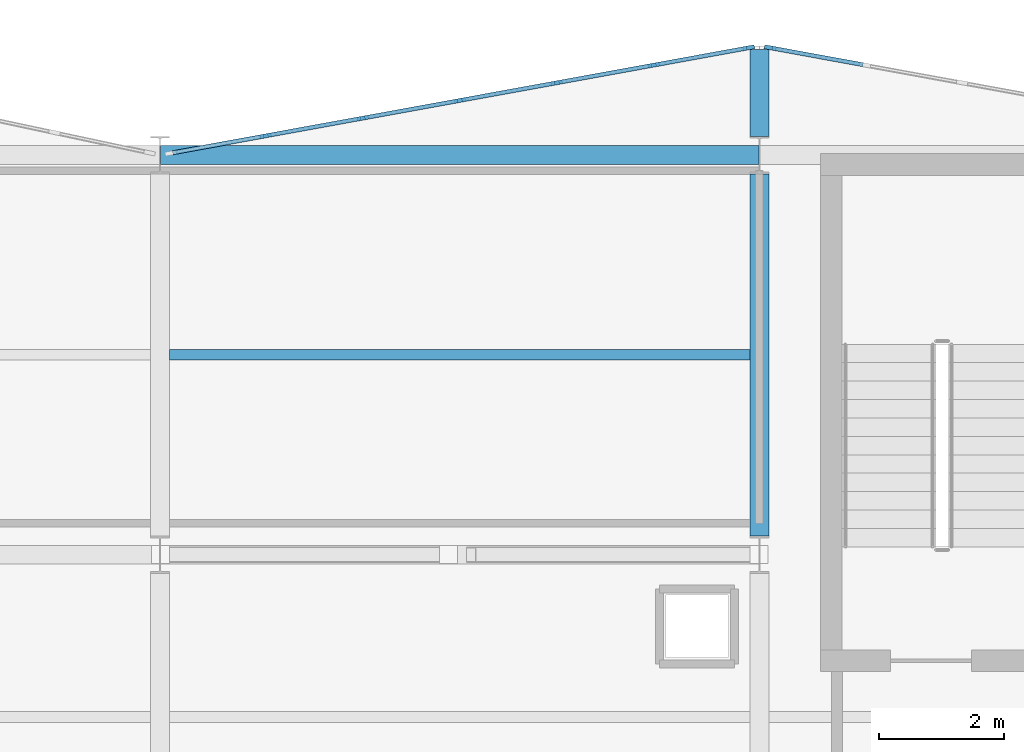
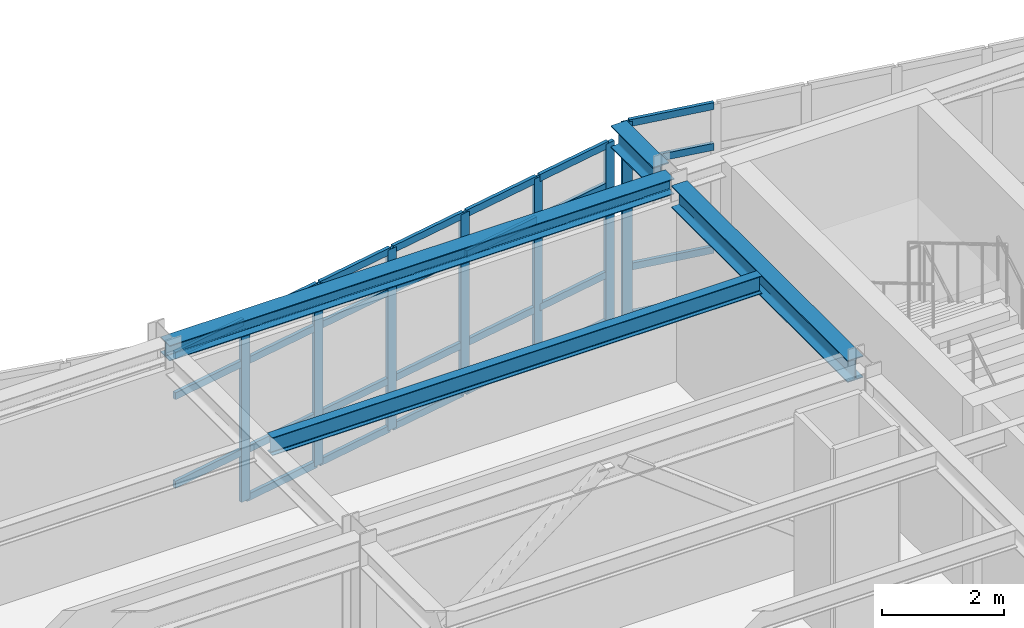
# One storey, part 49 of 99: 34 members, 4 beams, 2 elements without a shape of their own.
"""IFC4 building model written with IfcOpenShell, lengths in metres."""

from ifc_helpers import new_model, si_unit, direction, frame, origin, origin_2d, place, context, subcontext, project, spatial, rectangle, i_section, extrude, material, layer, layer_set, material_profile, profile_set, type_object, element, aggregate, save


model = new_model("IFC4")

# Units and contexts
model_context = context("Model", 3, precision=1e-05, world=origin(), true_north=direction((0.0, 1.0)))
body_context = subcontext(model_context, "Body", "Model", "MODEL_VIEW")
ifc_project = project(units=[si_unit("LENGTHUNIT", "METRE"), si_unit("AREAUNIT", "SQUARE_METRE"), si_unit("VOLUMEUNIT", "CUBIC_METRE"), si_unit("PLANEANGLEUNIT", "RADIAN"), si_unit("MASSUNIT", "GRAM", prefix="KILO")], contexts=[model_context])

# Site, building, storey
site_placement = place(None, origin())
site = spatial("IfcSite", under=ifc_project, at=site_placement, CompositionType="ELEMENT")
building_placement = place(site_placement, origin())
building = spatial("IfcBuilding", under=site, at=building_placement, Name="Nordkorset Police Headquarters", CompositionType="ELEMENT")
storey_placement = place(building_placement, frame((0.0, 0.0, 5.25)))
storey = spatial("IfcBuildingStorey", under=building, at=storey_placement, Name="L01", CompositionType="ELEMENT", Elevation=5.25)

# Beam
ifc_material_1 = material(Name="Steel S355J2", Category="steel")
ifc_material_profile_1 = material_profile(ifc_material_1, i_section(OverallWidth=0.169921875, OverallDepth=0.360107421875, WebThickness=0.008056640625, FlangeThickness=0.0126953125, FilletRadius=0.01806640625, at=origin_2d()), Name="IPE 360")
ifc_profile_set_1 = profile_set([ifc_material_profile_1], Name="Steel S355J2")
beam_type_1 = type_object("IfcBeamType", Name="Beam_IPE_360", PredefinedType="BEAM", material=ifc_profile_set_1)
beam_1_placement = place(storey_placement, frame((48.14990234375, 113.60009765625, 3.780029296875), z_axis=(1.0, 0.0, 0.0), x_axis=(0.0, 1.0, 0.0)))
element("IfcBeam", 1, at=beam_1_placement, inside=storey, type_object=beam_type_1, Name="Composite Floor Beam V2 L01 2-2-1", PredefinedType="BEAM", context=body_context, shape_type="SweptSolid", body=[
    extrude(i_section(OverallWidth=0.169921875, OverallDepth=0.360107421875, WebThickness=0.008056640625, FlangeThickness=0.0126953125, FilletRadius=0.01806640625, at=origin_2d()), origin(), (0.0, 0.0, 1.0), 9.300048828125),
])

# Curtain wall, members
ifc_material_2 = material(Name="Aluminium alloy AW-6060", Category="aluminium")
ifc_layer_1 = layer(ifc_material_2, 0.179931640625, Name="Aluminium alloy AW-6060")
ifc_layer_set_1 = layer_set([ifc_layer_1], Name="Aluminium alloy AW-6060")
curtain_wall_type_1 = type_object("IfcCurtainWallType", Name="CW_Unit_948x363", PredefinedType="USERDEFINED", material=ifc_layer_set_1)
curtain_wall_1_placement = place(storey_placement, origin())
curtain_wall_1 = element("IfcCurtainWall", 2, at=curtain_wall_1_placement, inside=storey, type_object=curtain_wall_type_1, Name="Unitised Curtain Wall L01 V2N-2", ObjectType="UNITISED CURTAIN WALL", PredefinedType="USERDEFINED")
ifc_material_3 = material(Name="Aluminium alloy AW-6060", Category="aluminium")
ifc_material_profile_2 = material_profile(ifc_material_3, rectangle(XDim=0.06494140625, YDim=0.179931640625, at=origin_2d()), Name="ALU MULL 65x180")
ifc_profile_set_2 = profile_set([ifc_material_profile_2], Name="Aluminium alloy AW-6060")
member_type_1 = type_object("IfcMemberType", Name="CW_Mullion_65x180", PredefinedType="MULLION", material=ifc_profile_set_2)
member_1_placement = place(storey_placement, frame((49.69189453125, 117.1083984375, 0.0), z_axis=(0.0, 0.0, 1.0), x_axis=(-0.179335715876, 0.983787934979, 0.0)))
member_1 = element("IfcMember", 3, at=member_1_placement, type_object=member_type_1, Name="CW-69 mullion 2", PredefinedType="MULLION", context=body_context, shape_type="SweptSolid", body=[
    extrude(rectangle(XDim=0.06494140625, YDim=0.179931640625, at=origin_2d()), origin(), (0.0, 0.0, 1.0), 3.6298828125),
])
member_2_placement = place(storey_placement, frame((51.245849609375, 117.3916015625, 0.0), z_axis=(0.0, 0.0, 1.0), x_axis=(-0.179335715876, 0.983787934979, 0.0)))
member_2 = element("IfcMember", 4, at=member_2_placement, type_object=member_type_1, Name="CW-69 mullion 3", PredefinedType="MULLION", context=body_context, shape_type="SweptSolid", body=[
    extrude(rectangle(XDim=0.06494140625, YDim=0.179931640625, at=origin_2d()), origin(), (0.0, 0.0, 1.0), 3.6298828125),
])
member_3_placement = place(storey_placement, frame((52.800048828125, 117.675048828125, 0.0), z_axis=(0.0, 0.0, 1.0), x_axis=(-0.179335715876, 0.983787934979, 0.0)))
member_3 = element("IfcMember", 5, at=member_3_placement, type_object=member_type_1, Name="CW-69 mullion 4", PredefinedType="MULLION", context=body_context, shape_type="SweptSolid", body=[
    extrude(rectangle(XDim=0.06494140625, YDim=0.179931640625, at=origin_2d()), origin(), (0.0, 0.0, 1.0), 3.6298828125),
])
member_4_placement = place(storey_placement, frame((54.35400390625, 117.958251953125, 0.0), z_axis=(0.0, 0.0, 1.0), x_axis=(-0.179335715876, 0.983787934979, 0.0)))
member_4 = element("IfcMember", 6, at=member_4_placement, type_object=member_type_1, Name="CW-69 mullion 5", PredefinedType="MULLION", context=body_context, shape_type="SweptSolid", body=[
    extrude(rectangle(XDim=0.06494140625, YDim=0.179931640625, at=origin_2d()), origin(), (0.0, 0.0, 1.0), 3.6298828125),
])
member_5_placement = place(storey_placement, frame((55.908203125, 118.24169921875, 0.0), z_axis=(0.0, 0.0, 1.0), x_axis=(-0.179335715876, 0.983787934979, 0.0)))
member_5 = element("IfcMember", 7, at=member_5_placement, type_object=member_type_1, Name="CW-69 mullion 6", PredefinedType="MULLION", context=body_context, shape_type="SweptSolid", body=[
    extrude(rectangle(XDim=0.06494140625, YDim=0.179931640625, at=origin_2d()), origin(), (0.0, 0.0, 1.0), 3.6298828125),
])
member_6_placement = place(storey_placement, frame((57.43017578125, 118.51904296875, 0.0), z_axis=(0.0, 0.0, 1.0), x_axis=(-0.179335715876, 0.983787934979, 0.0)))
member_6 = element("IfcMember", 8, at=member_6_placement, type_object=member_type_1, Name="CW-69 mullion 7", PredefinedType="MULLION", context=body_context, shape_type="SweptSolid", body=[
    extrude(rectangle(XDim=0.06494140625, YDim=0.179931640625, at=origin_2d()), origin(), (0.0, 0.0, 1.0), 3.6298828125),
])

# Curtain wall, member
ifc_material_4 = material(Name="Aluminium alloy AW-6060", Category="aluminium")
ifc_layer_2 = layer(ifc_material_4, 0.179931640625, Name="Aluminium alloy AW-6060")
ifc_layer_set_2 = layer_set([ifc_layer_2], Name="Aluminium alloy AW-6060")
curtain_wall_type_2 = type_object("IfcCurtainWallType", Name="CW_Unit_948x392", PredefinedType="USERDEFINED", material=ifc_layer_set_2)
curtain_wall_2_placement = place(storey_placement, origin())
curtain_wall_2 = element("IfcCurtainWall", 9, at=curtain_wall_2_placement, inside=storey, type_object=curtain_wall_type_2, Name="Unitised Curtain Wall L01 V2N-3", ObjectType="UNITISED CURTAIN WALL", PredefinedType="USERDEFINED")
member_7_placement = place(storey_placement, frame((57.769775390625, 118.51904296875, 0.0), z_axis=(0.0, 0.0, 1.0), x_axis=(0.179335715876, 0.983787934979, 0.0)))
member_7 = element("IfcMember", 10, at=member_7_placement, type_object=member_type_1, Name="CW-65 mullion 1", PredefinedType="MULLION", context=body_context, shape_type="SweptSolid", body=[
    extrude(rectangle(XDim=0.06494140625, YDim=0.179931640625, at=origin_2d()), origin(), (0.0, 0.0, 1.0), 3.919921875),
])

# Member
ifc_material_5 = material(Name="Aluminium alloy AW-6060", Category="aluminium")
ifc_material_profile_3 = material_profile(ifc_material_5, rectangle(XDim=0.06494140625, YDim=0.139892578125, at=origin_2d()), Name="ALU TRAN 65x140")
ifc_profile_set_3 = profile_set([ifc_material_profile_3], Name="Aluminium alloy AW-6060")
member_type_2 = type_object("IfcMemberType", Name="CW_Transom_65x140", PredefinedType="USERDEFINED", material=ifc_profile_set_3)
member_8_placement = place(storey_placement, frame((48.20166015625, 116.836669921875, 1.0), z_axis=(0.98378282961, 0.179363720316, 0.0), x_axis=(-0.179363720316, 0.98378282961, 0.0)))
member_8 = element("IfcMember", 11, at=member_8_placement, type_object=member_type_2, Name="CW-69 transom 1.2", ObjectType="TRANSOM", PredefinedType="USERDEFINED", context=body_context, shape_type="SweptSolid", body=[
    extrude(rectangle(XDim=0.06494140625, YDim=0.139892578125, at=origin_2d()), origin(), (0.0, 0.0, 1.0), 1.482177734375),
])

member_9_placement = place(storey_placement, frame((48.20166015625, 116.836669921875, 2.780029296875), z_axis=(0.98378282961, 0.179363720316, 0.0), x_axis=(-0.179363720316, 0.98378282961, 0.0)))
member_9 = element("IfcMember", 12, at=member_9_placement, type_object=member_type_2, Name="CW-69 transom 1.3", ObjectType="TRANSOM", PredefinedType="USERDEFINED", context=body_context, shape_type="SweptSolid", body=[
    extrude(rectangle(XDim=0.06494140625, YDim=0.139892578125, at=origin_2d()), origin(), (0.0, 0.0, 1.0), 1.482177734375),
])

member_10_placement = place(storey_placement, frame((48.20166015625, 116.836669921875, 3.597412109375), z_axis=(0.98378282961, 0.179363720316, 0.0), x_axis=(-0.179363720316, 0.98378282961, 0.0)))
member_10 = element("IfcMember", 13, at=member_10_placement, type_object=member_type_2, Name="CW-69 transom 1.4", ObjectType="TRANSOM", PredefinedType="USERDEFINED", context=body_context, shape_type="SweptSolid", body=[
    extrude(rectangle(XDim=0.06494140625, YDim=0.139892578125, at=origin_2d()), origin(), (0.0, 0.0, 1.0), 1.482177734375),
])

member_11_placement = place(storey_placement, frame((49.723876953125, 117.1142578125, 0.032470703125), z_axis=(0.983774342545, 0.179410264338, 0.0), x_axis=(-0.179410264338, 0.983774342545, 0.0)))
member_11 = element("IfcMember", 14, at=member_11_placement, type_object=member_type_2, Name="CW-69 transom 2.1", ObjectType="TRANSOM", PredefinedType="USERDEFINED", context=body_context, shape_type="SweptSolid", body=[
    extrude(rectangle(XDim=0.06494140625, YDim=0.139892578125, at=origin_2d()), origin(), (0.0, 0.0, 1.0), 1.5146484375),
])

member_12_placement = place(storey_placement, frame((49.723876953125, 117.1142578125, 1.0), z_axis=(0.983774342545, 0.179410264338, 0.0), x_axis=(-0.179410264338, 0.983774342545, 0.0)))
member_12 = element("IfcMember", 15, at=member_12_placement, type_object=member_type_2, Name="CW-69 transom 2.2", ObjectType="TRANSOM", PredefinedType="USERDEFINED", context=body_context, shape_type="SweptSolid", body=[
    extrude(rectangle(XDim=0.06494140625, YDim=0.139892578125, at=origin_2d()), origin(), (0.0, 0.0, 1.0), 1.5146484375),
])

member_13_placement = place(storey_placement, frame((49.723876953125, 117.1142578125, 2.780029296875), z_axis=(0.983774342545, 0.179410264338, 0.0), x_axis=(-0.179410264338, 0.983774342545, 0.0)))
member_13 = element("IfcMember", 16, at=member_13_placement, type_object=member_type_2, Name="CW-69 transom 2.3", ObjectType="TRANSOM", PredefinedType="USERDEFINED", context=body_context, shape_type="SweptSolid", body=[
    extrude(rectangle(XDim=0.06494140625, YDim=0.139892578125, at=origin_2d()), origin(), (0.0, 0.0, 1.0), 1.5146484375),
])

member_14_placement = place(storey_placement, frame((49.723876953125, 117.1142578125, 3.597412109375), z_axis=(0.983774342545, 0.179410264338, 0.0), x_axis=(-0.179410264338, 0.983774342545, 0.0)))
member_14 = element("IfcMember", 17, at=member_14_placement, type_object=member_type_2, Name="CW-69 transom 2.4", ObjectType="TRANSOM", PredefinedType="USERDEFINED", context=body_context, shape_type="SweptSolid", body=[
    extrude(rectangle(XDim=0.06494140625, YDim=0.139892578125, at=origin_2d()), origin(), (0.0, 0.0, 1.0), 1.5146484375),
])

member_15_placement = place(storey_placement, frame((51.27783203125, 117.3974609375, 0.032470703125), z_axis=(0.983779529869, 0.179381817946, 0.0), x_axis=(-0.179381817946, 0.983779529869, 0.0)))
member_15 = element("IfcMember", 18, at=member_15_placement, type_object=member_type_2, Name="CW-69 transom 3.1", ObjectType="TRANSOM", PredefinedType="USERDEFINED", context=body_context, shape_type="SweptSolid", body=[
    extrude(rectangle(XDim=0.06494140625, YDim=0.139892578125, at=origin_2d()), origin(), (0.0, 0.0, 1.0), 1.514892578125),
])

member_16_placement = place(storey_placement, frame((51.27783203125, 117.3974609375, 1.0), z_axis=(0.983779529869, 0.179381817946, 0.0), x_axis=(-0.179381817946, 0.983779529869, 0.0)))
member_16 = element("IfcMember", 19, at=member_16_placement, type_object=member_type_2, Name="CW-69 transom 3.2", ObjectType="TRANSOM", PredefinedType="USERDEFINED", context=body_context, shape_type="SweptSolid", body=[
    extrude(rectangle(XDim=0.06494140625, YDim=0.139892578125, at=origin_2d()), origin(), (0.0, 0.0, 1.0), 1.514892578125),
])

member_17_placement = place(storey_placement, frame((51.27783203125, 117.3974609375, 2.780029296875), z_axis=(0.983779529869, 0.179381817946, 0.0), x_axis=(-0.179381817946, 0.983779529869, 0.0)))
member_17 = element("IfcMember", 20, at=member_17_placement, type_object=member_type_2, Name="CW-69 transom 3.3", ObjectType="TRANSOM", PredefinedType="USERDEFINED", context=body_context, shape_type="SweptSolid", body=[
    extrude(rectangle(XDim=0.06494140625, YDim=0.139892578125, at=origin_2d()), origin(), (0.0, 0.0, 1.0), 1.514892578125),
])

member_18_placement = place(storey_placement, frame((51.27783203125, 117.3974609375, 3.597412109375), z_axis=(0.983779529869, 0.179381817946, 0.0), x_axis=(-0.179381817946, 0.983779529869, 0.0)))
member_18 = element("IfcMember", 21, at=member_18_placement, type_object=member_type_2, Name="CW-69 transom 3.4", ObjectType="TRANSOM", PredefinedType="USERDEFINED", context=body_context, shape_type="SweptSolid", body=[
    extrude(rectangle(XDim=0.06494140625, YDim=0.139892578125, at=origin_2d()), origin(), (0.0, 0.0, 1.0), 1.514892578125),
])

member_19_placement = place(storey_placement, frame((52.83203125, 117.680908203125, 0.032470703125), z_axis=(0.983802781825, 0.179254250924, 0.0), x_axis=(-0.179254250924, 0.983802781825, 0.0)))
member_19 = element("IfcMember", 22, at=member_19_placement, type_object=member_type_2, Name="CW-69 transom 4.1", ObjectType="TRANSOM", PredefinedType="USERDEFINED", context=body_context, shape_type="SweptSolid", body=[
    extrude(rectangle(XDim=0.06494140625, YDim=0.139892578125, at=origin_2d()), origin(), (0.0, 0.0, 1.0), 1.514404296875),
])

member_20_placement = place(storey_placement, frame((52.83203125, 117.680908203125, 1.0), z_axis=(0.983802781825, 0.179254250924, 0.0), x_axis=(-0.179254250924, 0.983802781825, 0.0)))
member_20 = element("IfcMember", 23, at=member_20_placement, type_object=member_type_2, Name="CW-69 transom 4.2", ObjectType="TRANSOM", PredefinedType="USERDEFINED", context=body_context, shape_type="SweptSolid", body=[
    extrude(rectangle(XDim=0.06494140625, YDim=0.139892578125, at=origin_2d()), origin(), (0.0, 0.0, 1.0), 1.514404296875),
])

member_21_placement = place(storey_placement, frame((52.83203125, 117.680908203125, 2.780029296875), z_axis=(0.983802781825, 0.179254250924, 0.0), x_axis=(-0.179254250924, 0.983802781825, 0.0)))
member_21 = element("IfcMember", 24, at=member_21_placement, type_object=member_type_2, Name="CW-69 transom 4.3", ObjectType="TRANSOM", PredefinedType="USERDEFINED", context=body_context, shape_type="SweptSolid", body=[
    extrude(rectangle(XDim=0.06494140625, YDim=0.139892578125, at=origin_2d()), origin(), (0.0, 0.0, 1.0), 1.514404296875),
])

member_22_placement = place(storey_placement, frame((52.83203125, 117.680908203125, 3.597412109375), z_axis=(0.983802781825, 0.179254250924, 0.0), x_axis=(-0.179254250924, 0.983802781825, 0.0)))
member_22 = element("IfcMember", 25, at=member_22_placement, type_object=member_type_2, Name="CW-69 transom 4.4", ObjectType="TRANSOM", PredefinedType="USERDEFINED", context=body_context, shape_type="SweptSolid", body=[
    extrude(rectangle(XDim=0.06494140625, YDim=0.139892578125, at=origin_2d()), origin(), (0.0, 0.0, 1.0), 1.514404296875),
])

member_23_placement = place(storey_placement, frame((54.385986328125, 117.964111328125, 0.032470703125), z_axis=(0.983779529869, 0.179381817946, 0.0), x_axis=(-0.179381817946, 0.983779529869, 0.0)))
member_23 = element("IfcMember", 26, at=member_23_placement, type_object=member_type_2, Name="CW-69 transom 5.1", ObjectType="TRANSOM", PredefinedType="USERDEFINED", context=body_context, shape_type="SweptSolid", body=[
    extrude(rectangle(XDim=0.06494140625, YDim=0.139892578125, at=origin_2d()), origin(), (0.0, 0.0, 1.0), 1.514892578125),
])

member_24_placement = place(storey_placement, frame((54.385986328125, 117.964111328125, 1.0), z_axis=(0.983779529869, 0.179381817946, 0.0), x_axis=(-0.179381817946, 0.983779529869, 0.0)))
member_24 = element("IfcMember", 27, at=member_24_placement, type_object=member_type_2, Name="CW-69 transom 5.2", ObjectType="TRANSOM", PredefinedType="USERDEFINED", context=body_context, shape_type="SweptSolid", body=[
    extrude(rectangle(XDim=0.06494140625, YDim=0.139892578125, at=origin_2d()), origin(), (0.0, 0.0, 1.0), 1.514892578125),
])

member_25_placement = place(storey_placement, frame((54.385986328125, 117.964111328125, 2.780029296875), z_axis=(0.983779529869, 0.179381817946, 0.0), x_axis=(-0.179381817946, 0.983779529869, 0.0)))
member_25 = element("IfcMember", 28, at=member_25_placement, type_object=member_type_2, Name="CW-69 transom 5.3", ObjectType="TRANSOM", PredefinedType="USERDEFINED", context=body_context, shape_type="SweptSolid", body=[
    extrude(rectangle(XDim=0.06494140625, YDim=0.139892578125, at=origin_2d()), origin(), (0.0, 0.0, 1.0), 1.514892578125),
])

member_26_placement = place(storey_placement, frame((54.385986328125, 117.964111328125, 3.597412109375), z_axis=(0.983779529869, 0.179381817946, 0.0), x_axis=(-0.179381817946, 0.983779529869, 0.0)))
member_26 = element("IfcMember", 29, at=member_26_placement, type_object=member_type_2, Name="CW-69 transom 5.4", ObjectType="TRANSOM", PredefinedType="USERDEFINED", context=body_context, shape_type="SweptSolid", body=[
    extrude(rectangle(XDim=0.06494140625, YDim=0.139892578125, at=origin_2d()), origin(), (0.0, 0.0, 1.0), 1.514892578125),
])

member_27_placement = place(storey_placement, frame((55.940185546875, 118.247314453125, 0.032470703125), z_axis=(0.98378282961, 0.179363720316, 0.0), x_axis=(-0.179363720316, 0.98378282961, 0.0)))
member_27 = element("IfcMember", 30, at=member_27_placement, type_object=member_type_2, Name="CW-69 transom 6.1", ObjectType="TRANSOM", PredefinedType="USERDEFINED", context=body_context, shape_type="SweptSolid", body=[
    extrude(rectangle(XDim=0.06494140625, YDim=0.139892578125, at=origin_2d()), origin(), (0.0, 0.0, 1.0), 1.482177734375),
])

member_28_placement = place(storey_placement, frame((55.940185546875, 118.247314453125, 1.0), z_axis=(0.98378282961, 0.179363720316, 0.0), x_axis=(-0.179363720316, 0.98378282961, 0.0)))
member_28 = element("IfcMember", 31, at=member_28_placement, type_object=member_type_2, Name="CW-69 transom 6.2", ObjectType="TRANSOM", PredefinedType="USERDEFINED", context=body_context, shape_type="SweptSolid", body=[
    extrude(rectangle(XDim=0.06494140625, YDim=0.139892578125, at=origin_2d()), origin(), (0.0, 0.0, 1.0), 1.482177734375),
])

member_29_placement = place(storey_placement, frame((55.940185546875, 118.247314453125, 2.780029296875), z_axis=(0.98378282961, 0.179363720316, 0.0), x_axis=(-0.179363720316, 0.98378282961, 0.0)))
member_29 = element("IfcMember", 32, at=member_29_placement, type_object=member_type_2, Name="CW-69 transom 6.3", ObjectType="TRANSOM", PredefinedType="USERDEFINED", context=body_context, shape_type="SweptSolid", body=[
    extrude(rectangle(XDim=0.06494140625, YDim=0.139892578125, at=origin_2d()), origin(), (0.0, 0.0, 1.0), 1.482177734375),
])

member_30_placement = place(storey_placement, frame((55.940185546875, 118.247314453125, 3.597412109375), z_axis=(0.98378282961, 0.179363720316, 0.0), x_axis=(-0.179363720316, 0.98378282961, 0.0)))
member_30 = element("IfcMember", 33, at=member_30_placement, type_object=member_type_2, Name="CW-69 transom 6.4", ObjectType="TRANSOM", PredefinedType="USERDEFINED", context=body_context, shape_type="SweptSolid", body=[
    extrude(rectangle(XDim=0.06494140625, YDim=0.139892578125, at=origin_2d()), origin(), (0.0, 0.0, 1.0), 1.482177734375),
])

aggregate(curtain_wall_1, [member_1, member_2, member_3, member_4, member_5, member_6, member_8, member_9, member_10, member_11, member_12, member_13, member_14, member_15, member_16, member_17, member_18, member_19, member_20, member_21, member_22, member_23, member_24, member_25, member_26, member_27, member_28, member_29, member_30])

member_31_placement = place(storey_placement, frame((57.8017578125, 118.51318359375, 0.032470703125), z_axis=(0.983777529541, -0.179392787955, 0.0), x_axis=(0.179392787955, 0.983777529541, 0.0)))
member_31 = element("IfcMember", 34, at=member_31_placement, type_object=member_type_2, Name="CW-65 transom 1.1", ObjectType="TRANSOM", PredefinedType="USERDEFINED", context=body_context, shape_type="SweptSolid", body=[
    extrude(rectangle(XDim=0.06494140625, YDim=0.139892578125, at=origin_2d()), origin(), (0.0, 0.0, 1.0), 1.48193359375),
])

member_32_placement = place(storey_placement, frame((57.8017578125, 118.51318359375, 1.0), z_axis=(0.983777529541, -0.179392787955, 0.0), x_axis=(0.179392787955, 0.983777529541, 0.0)))
member_32 = element("IfcMember", 35, at=member_32_placement, type_object=member_type_2, Name="CW-65 transom 1.2", ObjectType="TRANSOM", PredefinedType="USERDEFINED", context=body_context, shape_type="SweptSolid", body=[
    extrude(rectangle(XDim=0.06494140625, YDim=0.139892578125, at=origin_2d()), origin(), (0.0, 0.0, 1.0), 1.48193359375),
])

member_33_placement = place(storey_placement, frame((57.8017578125, 118.51318359375, 3.070068359375), z_axis=(0.983777529541, -0.179392787955, 0.0), x_axis=(0.179392787955, 0.983777529541, 0.0)))
member_33 = element("IfcMember", 36, at=member_33_placement, type_object=member_type_2, Name="CW-65 transom 1.3", ObjectType="TRANSOM", PredefinedType="USERDEFINED", context=body_context, shape_type="SweptSolid", body=[
    extrude(rectangle(XDim=0.06494140625, YDim=0.139892578125, at=origin_2d()), origin(), (0.0, 0.0, 1.0), 1.48193359375),
])

member_34_placement = place(storey_placement, frame((57.8017578125, 118.51318359375, 3.887451171875), z_axis=(0.983777529541, -0.179392787955, 0.0), x_axis=(0.179392787955, 0.983777529541, 0.0)))
member_34 = element("IfcMember", 37, at=member_34_placement, type_object=member_type_2, Name="CW-65 transom 1.4", ObjectType="TRANSOM", PredefinedType="USERDEFINED", context=body_context, shape_type="SweptSolid", body=[
    extrude(rectangle(XDim=0.06494140625, YDim=0.139892578125, at=origin_2d()), origin(), (0.0, 0.0, 1.0), 1.48193359375),
])

aggregate(curtain_wall_2, [member_7, member_31, member_32, member_33, member_34])

# Beams
ifc_material_6 = material(Name="Steel S355J2", Category="steel")
ifc_material_profile_4 = material_profile(ifc_material_6, i_section(OverallWidth=0.300048828125, OverallDepth=0.43994140625, WebThickness=0.011474609375, FlangeThickness=0.02099609375, FilletRadius=0.027099609375, at=origin_2d()), Name="HEA 450")
ifc_profile_set_4 = profile_set([ifc_material_profile_4], Name="Steel S355J2")
beam_type_2 = type_object("IfcBeamType", Name="Girder_HEA_450", PredefinedType="USERDEFINED", material=ifc_profile_set_4)
beam_2_placement = place(storey_placement, frame((57.60009765625, 110.699951171875, 3.739990234375), z_axis=(0.0, 1.0, 0.0), x_axis=(-1.0, 0.0, 0.0)))
element("IfcBeam", 38, at=beam_2_placement, inside=storey, type_object=beam_type_2, Name="Girder V2 L01 GY-3-2", ObjectType="GIRDER", PredefinedType="USERDEFINED", context=body_context, shape_type="SweptSolid", body=[
    extrude(i_section(OverallWidth=0.300048828125, OverallDepth=0.43994140625, WebThickness=0.011474609375, FlangeThickness=0.02099609375, FilletRadius=0.027099609375, at=origin_2d()), origin(), (0.0, 0.0, 1.0), 5.800048828125),
])
beam_3_placement = place(storey_placement, frame((57.60009765625, 117.10009765625, 3.739990234375), z_axis=(0.0, 1.0, 0.0), x_axis=(-1.0, 0.0, 0.0)))
element("IfcBeam", 39, at=beam_3_placement, inside=storey, type_object=beam_type_2, Name="Sawtooth Facade Outrigger V2 L01 57", ObjectType="GIRDER", PredefinedType="USERDEFINED", context=body_context, shape_type="SweptSolid", body=[
    extrude(i_section(OverallWidth=0.300048828125, OverallDepth=0.43994140625, WebThickness=0.011474609375, FlangeThickness=0.02099609375, FilletRadius=0.027099609375, at=origin_2d()), origin(), (0.0, 0.0, 1.0), 1.389892578125),
])
ifc_material_7 = material(Name="Steel S355J2", Category="steel")
ifc_material_profile_5 = material_profile(ifc_material_7, i_section(OverallWidth=0.300048828125, OverallDepth=0.31005859375, WebThickness=0.009033203125, FlangeThickness=0.015380859375, FilletRadius=0.027099609375, at=origin_2d()), Name="HEA 320")
ifc_profile_set_5 = profile_set([ifc_material_profile_5], Name="Steel S355J2")
beam_type_3 = type_object("IfcBeamType", Name="Spandrel_HEA_320", PredefinedType="SPANDREL", material=ifc_profile_set_5)
beam_4_placement = place(storey_placement, frame((48.0078125, 116.800048828125, 3.804931640625), z_axis=(1.0, 0.0, 0.0), x_axis=(0.0, 1.0, 0.0)))
element("IfcBeam", 40, at=beam_4_placement, inside=storey, type_object=beam_type_3, Name="Girder V2 L01 GX-3-2", PredefinedType="SPANDREL", context=body_context, shape_type="SweptSolid", body=[
    extrude(i_section(OverallWidth=0.300048828125, OverallDepth=0.31005859375, WebThickness=0.009033203125, FlangeThickness=0.015380859375, FilletRadius=0.027099609375, at=origin_2d()), origin(), (0.0, 0.0, 1.0), 9.58447265625),
])

save(model, "model.ifc")
